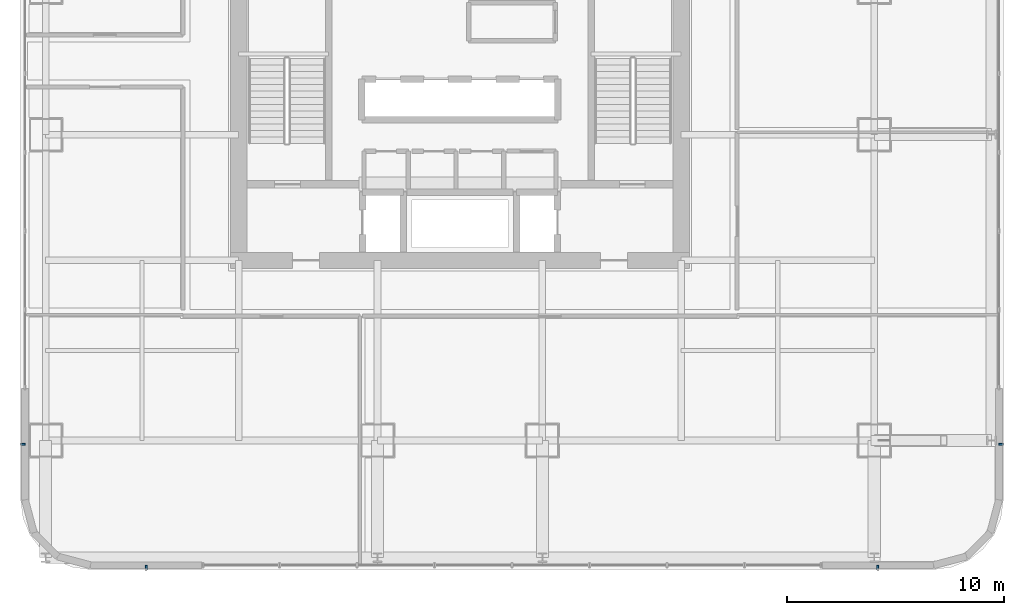
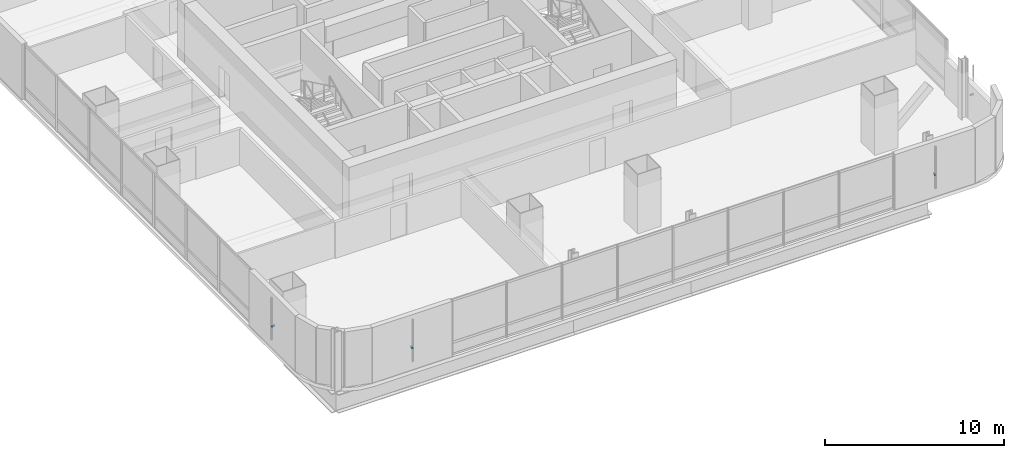
# One storey, part 31 of 42: 4 discrete accessories.
"""IFC4 building model written with IfcOpenShell, lengths in metres."""

from ifc_helpers import new_model, si_unit, direction, frame, origin, origin_2d, place, context, subcontext, project, spatial, rectangle, extrude, material, type_object, element, save


model = new_model("IFC4")

# Units and contexts
model_context = context("Model", 3, precision=1e-05, world=origin(), true_north=direction((0.0, 1.0)))
body_context = subcontext(model_context, "Body", "Model", "MODEL_VIEW")
ifc_project = project(units=[si_unit("LENGTHUNIT", "METRE"), si_unit("AREAUNIT", "SQUARE_METRE"), si_unit("VOLUMEUNIT", "CUBIC_METRE"), si_unit("PLANEANGLEUNIT", "RADIAN"), si_unit("MASSUNIT", "GRAM", prefix="KILO")], contexts=[model_context])

# Site, building, storey
site_placement = place(None, origin())
site = spatial("IfcSite", under=ifc_project, at=site_placement, CompositionType="ELEMENT")
building_placement = place(site_placement, origin())
building = spatial("IfcBuilding", under=site, at=building_placement, Name="Punatoya Terracotta Tower", CompositionType="ELEMENT")
storey_placement = place(building_placement, frame((0.0, 0.0, 88.949951171875)))
storey = spatial("IfcBuildingStorey", under=building, at=storey_placement, Name="L20", CompositionType="ELEMENT", Elevation=88.949951171875)

# Discrete accessories
ifc_material = material(Name="Steel S355", Category="steel")
discrete_accessory_type = type_object("IfcDiscreteAccessoryType", Name="ACC-BRK-220", PredefinedType="BRACKET", material=ifc_material)
for number, where, z_axis, x_axis, name in (
    (1, (-14.468505859375, -23.35009765625, 1.449951171875), (0.0, 0.0, 1.0), (1.0, 0.0, 0.0), "L20 Jali Fin Support Bracket S1"),
    (2, (19.2685546875, -23.35009765625, 1.449951171875), (0.0, 0.0, 1.0), (1.0, 0.0, 0.0), "L20 Jali Fin Support Bracket S2"),
    (3, (24.949951171875, -17.66845703125, 1.449951171875), (0.0, 0.0, 1.0), (0.0, 1.0, 0.0), "L20 Jali Fin Support Bracket E1"),
    (4, (-20.14990234375, -17.66845703125, 1.449951171875), (0.0, 0.0, 1.0), (0.0, -1.0, 0.0), "L20 Jali Fin Support Bracket W2"),
):
    element("IfcDiscreteAccessory", number, at=place(storey_placement, frame(where, z_axis=z_axis, x_axis=x_axis)), inside=storey, type_object=discrete_accessory_type, Name=name, PredefinedType="BRACKET", context=body_context, shape_type="SweptSolid", body=[
        extrude(rectangle(XDim=0.090087890625, YDim=0.219970703125, at=origin_2d()), origin(), (0.0, 0.0, 1.0), 0.10009765625),
    ])

save(model, "model.ifc")
